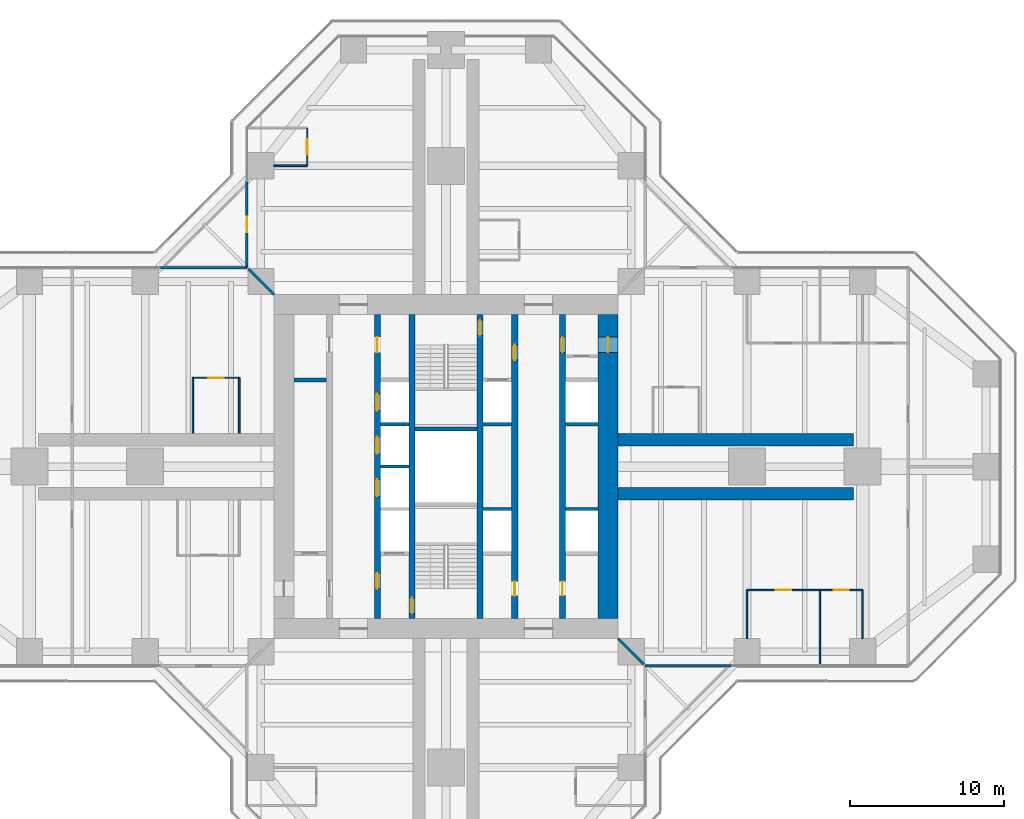
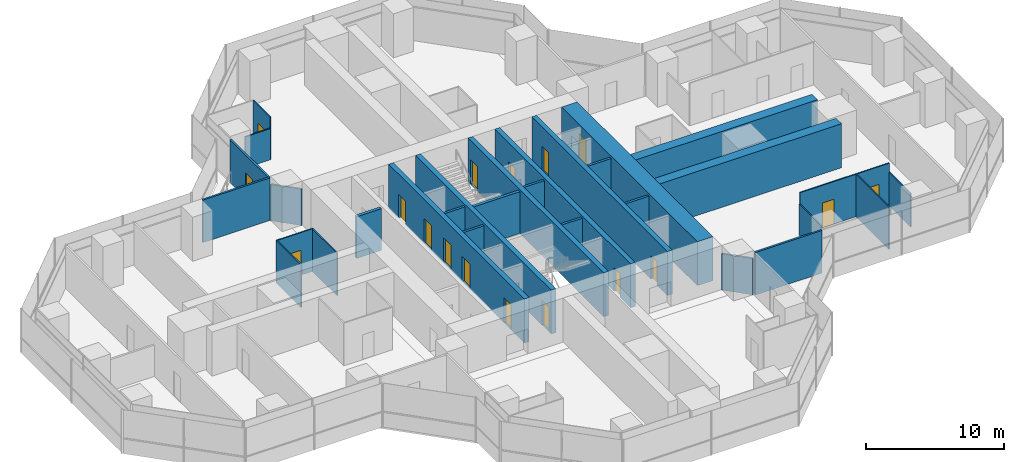
# One storey, part 16 of 20: 30 walls, 17 doors, 17 openings.
"""IFC4 building model written with IfcOpenShell, lengths in metres."""

import ifcopenshell
import ifcopenshell.guid

model = None  # the IFC model being written
_history = None  # IfcOwnerHistory: only IFC2X3 demands one
_inside = {}  # id of a spatial element -> (the spatial element, [elements in it])
_under = {}  # id of a project, library or spatial element -> (it, [spatial elements below it])
_declared = {}  # id of a project -> (the project, [libraries it declares])
_typed = {}  # id of a type object -> (the type object, [elements of that type])
_made_of = {}  # id of a material, layer set ... -> (it, [elements and type objects made of it])


def new_model(schema):
    """Start an empty IFC model of exactly this schema.

    Asked for "IFC4X3", IfcOpenShell would pick the latest addendum, in which some entities
    have other attributes; the version numbers below select the first issue.
    IFC2X3 requires an IfcOwnerHistory on every rooted entity: one is made here for all.
    """
    global model, _history
    if schema == "IFC4X3":
        model = ifcopenshell.file(schema_version=(4, 3, 0, 0))
    else:
        model = ifcopenshell.file(schema=schema)
    _inside.clear()
    _under.clear()
    _declared.clear()
    _typed.clear()
    _made_of.clear()
    _history = None
    if model.schema == "IFC2X3":
        org = make("IfcOrganization", Name="unknown")
        user = make(
            "IfcPersonAndOrganization",
            ThePerson=make("IfcPerson", FamilyName="unknown"),
            TheOrganization=org,
        )
        app = make(
            "IfcApplication",
            ApplicationDeveloper=org,
            Version="unknown",
            ApplicationFullName="unknown",
            ApplicationIdentifier="unknown",
        )
        _history = make(
            "IfcOwnerHistory",
            OwningUser=user,
            OwningApplication=app,
            ChangeAction="ADDED",
            CreationDate=0,
        )
    return model


def make(cls, **values):
    """One entity of the class cls with the attributes given. An attribute that is None is left unset."""
    return model.create_entity(
        cls, **{name: value for name, value in values.items() if value is not None}
    )


def rooted(cls, **values):
    """An entity with a GlobalId (a new one), such as an element, a storey or a relation."""
    return make(cls, GlobalId=ifcopenshell.guid.new(), OwnerHistory=_history, **values)


def si_unit(unit_type, name, prefix=None):
    """IfcSIUnit, for example si_unit("LENGTHUNIT", "METRE", prefix="MILLI")."""
    return make("IfcSIUnit", UnitType=unit_type, Prefix=prefix, Name=name)


def assignment(units):
    """IfcUnitAssignment: the units of a project."""
    return None if units is None else make("IfcUnitAssignment", Units=units)


def point(xyz):
    """IfcCartesianPoint."""
    return None if xyz is None else make("IfcCartesianPoint", Coordinates=xyz)


def direction(xyz):
    """IfcDirection."""
    return None if xyz is None else make("IfcDirection", DirectionRatios=xyz)


def frame(location, z_axis=None, x_axis=None):
    """IfcAxis2Placement3D, a coordinate frame: its origin and axes. An axis left out is left unset."""
    return make(
        "IfcAxis2Placement3D",
        Location=point(location),
        Axis=direction(z_axis),
        RefDirection=direction(x_axis),
    )


def frame_2d(location, x_axis=None):
    """IfcAxis2Placement2D, a coordinate frame in the plane: its origin and x axis."""
    return make(
        "IfcAxis2Placement2D", Location=point(location), RefDirection=direction(x_axis)
    )


def origin():
    """The frame at (0, 0, 0) with its axes left unset."""
    return frame((0.0, 0.0, 0.0))


def place(relative_to, where):
    """IfcLocalPlacement: puts the frame where relative to a parent placement (None: the world)."""
    return make(
        "IfcLocalPlacement", PlacementRelTo=relative_to, RelativePlacement=where
    )


def context(
    kind, dimensions, precision=None, world=None, true_north=None, identifier=None
):
    """IfcGeometricRepresentationContext, for example the 3D "Model" context."""
    return make(
        "IfcGeometricRepresentationContext",
        ContextIdentifier=identifier,
        ContextType=kind,
        CoordinateSpaceDimension=dimensions,
        Precision=precision,
        WorldCoordinateSystem=world,
        TrueNorth=true_north,
    )


def subcontext(parent, identifier, kind, view, scale=None):
    """IfcGeometricRepresentationSubContext, for example "Body" below "Model"."""
    return make(
        "IfcGeometricRepresentationSubContext",
        ContextIdentifier=identifier,
        ContextType=kind,
        ParentContext=parent,
        TargetScale=scale,
        TargetView=view,
    )


def project(units=None, contexts=None):
    """IfcProject with its units and contexts."""
    return rooted(
        "IfcProject",
        Name="project",
        RepresentationContexts=contexts,
        UnitsInContext=assignment(units),
    )


def spatial(cls, under=None, at=None, **own):
    """A site, building, storey or space (cls), placed at a placement, below another one or the project."""
    s = rooted(cls, ObjectPlacement=at, **own)
    if under is not None:
        _under.setdefault(under.id(), (under, []))[1].append(s)
    return s


def profile(cls, at=None, kind="AREA", **sizes):
    """A parametric profile (cls). Its sizes go by their IFC names, for example OverallWidth=200.0."""
    return make(cls, ProfileType=kind, Position=at, **sizes)


def rectangle(**sizes):
    """IfcRectangleProfileDef."""
    return profile("IfcRectangleProfileDef", **sizes)


def extrude(swept, where, along, depth):
    """IfcExtrudedAreaSolid: the profile swept, set in the frame where, extruded along a direction by depth."""
    return make(
        "IfcExtrudedAreaSolid",
        SweptArea=swept,
        Position=where,
        ExtrudedDirection=direction(along),
        Depth=depth,
    )


def shape(context_of_items, identifier, shape_type, items):
    """IfcShapeRepresentation: the items that make up one representation, for example the "Body"."""
    return make(
        "IfcShapeRepresentation",
        ContextOfItems=context_of_items,
        RepresentationIdentifier=identifier,
        RepresentationType=shape_type,
        Items=items,
    )


def material(Name=None, Category=None):
    """IfcMaterial."""
    return make("IfcMaterial", Name=Name, Category=Category)


def layer(
    of_material, thickness, ventilated=None, Name=None, Category=None, Priority=None
):
    """IfcMaterialLayer: one layer of a wall or slab, of a material (None: an air gap)."""
    return make(
        "IfcMaterialLayer",
        Material=of_material,
        LayerThickness=thickness,
        IsVentilated=ventilated,
        Name=Name,
        Category=Category,
        Priority=Priority,
    )


def layer_set(layers, Name=None):
    """IfcMaterialLayerSet."""
    return make("IfcMaterialLayerSet", MaterialLayers=layers, LayerSetName=Name)


def made_of(thing, what):
    """Note that an element or type object is made of a material, layer set ...; save() writes the relation."""
    if what is not None:
        _made_of.setdefault(what.id(), (what, []))[1].append(thing)
    return thing


def type_object(cls, material=None, **own):
    """A type object (cls), such as IfcWallType, which elements share."""
    return made_of(rooted(cls, **own), material)


def element(
    cls,
    number,
    at=None,
    inside=None,
    cuts=None,
    type_object=None,
    material=None,
    context=None,
    identifier="Body",
    shape_type=None,
    held_by="IfcProductDefinitionShape",
    body=None,
    shapes=None,
    **own,
):
    """One element of the class cls, such as IfcWall. Its Tag is "e" and its number.

    at: its placement. inside: the storey or other place that contains it. cuts: it is an
    opening in that element (IfcRelVoidsElement). A single representation is given by context,
    identifier, shape_type and body (its items); several are given by shapes. held_by: the class
    of the entity that holds the representations. save() writes the other relations.
    """
    e = rooted(cls, Tag="e%d" % number, ObjectPlacement=at, **own)
    if body is not None:
        shapes = [shape(context, identifier, shape_type, body)]
    if shapes is not None:
        e.Representation = make(held_by, Representations=shapes)
    if inside is not None:
        _inside.setdefault(inside.id(), (inside, []))[1].append(e)
    if cuts is not None:
        rooted(
            "IfcRelVoidsElement", RelatingBuildingElement=cuts, RelatedOpeningElement=e
        )
    if type_object is not None:
        _typed.setdefault(type_object.id(), (type_object, []))[1].append(e)
    return made_of(e, material)


def fill(opening, filler):
    """IfcRelFillsElement: the door or window that sits in an opening."""
    return rooted(
        "IfcRelFillsElement",
        RelatingOpeningElement=opening,
        RelatedBuildingElement=filler,
    )


def aggregate(whole, parts):
    """IfcRelAggregates: a whole, such as a stair, and the parts it consists of."""
    return rooted("IfcRelAggregates", RelatingObject=whole, RelatedObjects=parts)


def save(model, path):
    """Write the relations noted so far, then the file.

    IfcRelAggregates (storeys below a building ...), IfcRelContainedInSpatialStructure (elements
    in a storey), IfcRelDefinesByType, IfcRelAssociatesMaterial and IfcRelDeclares: one each for
    every whole, place, type object, material and project.
    """
    for whole, parts in _under.values():
        aggregate(whole, parts)
    for where, things in _inside.values():
        rooted(
            "IfcRelContainedInSpatialStructure",
            RelatedElements=things,
            RelatingStructure=where,
        )
    for kind, things in _typed.values():
        rooted("IfcRelDefinesByType", RelatedObjects=things, RelatingType=kind)
    for what, things in _made_of.values():
        rooted("IfcRelAssociatesMaterial", RelatedObjects=things, RelatingMaterial=what)
    for by, libraries in _declared.values():
        rooted("IfcRelDeclares", RelatingContext=by, RelatedDefinitions=libraries)
    model.write(path)


model = new_model("IFC4")

# Units and contexts
model_context = context("Model", 3, precision=1e-05, world=origin(), true_north=direction((0.0, 1.0)))
body_context = subcontext(model_context, "Body", "Model", "MODEL_VIEW")
ifc_project = project(units=[si_unit("LENGTHUNIT", "METRE"), si_unit("AREAUNIT", "SQUARE_METRE"), si_unit("VOLUMEUNIT", "CUBIC_METRE"), si_unit("PLANEANGLEUNIT", "RADIAN"), si_unit("MASSUNIT", "GRAM", prefix="KILO")], contexts=[model_context])

# Site, building, storey
site_placement = place(None, origin())
site = spatial("IfcSite", under=ifc_project, at=site_placement, CompositionType="ELEMENT")
building_placement = place(site_placement, origin())
building = spatial("IfcBuilding", under=site, at=building_placement, Name="Mizan Broadcast Tower", CompositionType="ELEMENT")
storey_placement = place(building_placement, frame((0.0, 0.0, 155.39990234375)))
storey = spatial("IfcBuildingStorey", under=building, at=storey_placement, Name="L35", CompositionType="ELEMENT", Elevation=155.39990234375)

# Wall, openings, doors
ifc_material_1 = material(Name="Concrete C70/85", Category="concrete")
ifc_layer_1 = layer(ifc_material_1, 0.39990234375)
ifc_layer_set_1 = layer_set([ifc_layer_1], Name="Concrete C70/85")
wall_type_1 = type_object("IfcWallType", Name="CORE INTERNAL WALL 400", PredefinedType="SHEAR", material=ifc_layer_set_1)
wall_1_placement = place(storey_placement, frame((7.550048828125, 9.85009765625, 0.0), z_axis=(0.0, 0.0, 1.0), x_axis=(0.0, -1.0, 0.0)))
wall_1 = element("IfcWall", 1, at=wall_1_placement, inside=storey, type_object=wall_type_1, Name="Core wall CORE/XW1E", PredefinedType="SHEAR", context=body_context, shape_type="SweptSolid", body=[
    extrude(rectangle(XDim=19.7001953125, YDim=0.39990234375, at=frame_2d((9.85009765625, 0.0))), origin(), (0.0, 0.0, 1.0), 3.900146484375),
])
opening_1_placement = place(wall_1_placement, frame((1.449951171875, 0.0, 0.0)))
opening_1 = element("IfcOpeningElement", 2, at=opening_1_placement, cuts=wall_1, Name="Opening D10F", PredefinedType="OPENING", context=body_context, shape_type="SweptSolid", body=[
    extrude(rectangle(XDim=1.0, YDim=2.199951171875, at=frame_2d((0.5, 1.10009765625))), frame((0.0, 0.2099609375, 0.0), z_axis=(0.0, -1.0, 0.0), x_axis=(1.0, 0.0, 0.0)), (0.0, 0.0, 1.0), 0.419921875),
])
opening_2_placement = place(wall_1_placement, frame((17.300048828125, 0.0, 0.0)))
opening_2 = element("IfcOpeningElement", 3, at=opening_2_placement, cuts=wall_1, Name="Opening D09", PredefinedType="OPENING", context=body_context, shape_type="SweptSolid", body=[
    extrude(rectangle(XDim=0.89990234375, YDim=2.10009765625, at=frame_2d((0.449951171875, 1.050048828125))), frame((0.0, 0.2099609375, 0.0), z_axis=(0.0, -1.0, 0.0), x_axis=(1.0, 0.0, 0.0)), (0.0, 0.0, 1.0), 0.419921875),
])
ifc_material_2 = material(Name="Steel door leaf in steel frame", Category="steel")
door_type_1 = type_object("IfcDoorType", Name="FIRE DOOR 1000 FD90", OperationType="SINGLE_SWING_LEFT", PredefinedType="DOOR", material=ifc_material_2)
door_1_placement = place(opening_1_placement, origin())
door_1 = element("IfcDoor", 4, at=door_1_placement, inside=storey, type_object=door_type_1, Name="East core passage door", OperationType="SINGLE_SWING_LEFT", OverallHeight=2.199951171875, OverallWidth=1.0, PredefinedType="DOOR", context=body_context, shape_type="SweptSolid", body=[
    extrude(rectangle(XDim=1.0, YDim=2.199951171875, at=frame_2d((0.5, 1.10009765625))), frame((0.0, 0.02490234375, 0.0), z_axis=(0.0, -1.0, 0.0), x_axis=(1.0, 0.0, 0.0)), (0.0, 0.0, 1.0), 0.050048828125),
])
fill(opening_1, door_1)
ifc_material_3 = material(Name="Timber door leaf in aluminium frame", Category="wood")
door_type_2 = type_object("IfcDoorType", Name="TOILET DOOR 900", OperationType="SINGLE_SWING_LEFT", PredefinedType="DOOR", material=ifc_material_3)
door_2_placement = place(opening_2_placement, origin())
door_2 = element("IfcDoor", 5, at=door_2_placement, inside=storey, type_object=door_type_2, Name="Female WC door", OperationType="SINGLE_SWING_RIGHT", OverallHeight=2.10009765625, OverallWidth=0.89990234375, PredefinedType="DOOR", context=body_context, shape_type="SweptSolid", body=[
    extrude(rectangle(XDim=0.89990234375, YDim=2.10009765625, at=frame_2d((0.449951171875, 1.050048828125))), frame((0.0, 0.02490234375, 0.0), z_axis=(0.0, -1.0, 0.0), x_axis=(1.0, 0.0, 0.0)), (0.0, 0.0, 1.0), 0.050048828125),
])
fill(opening_2, door_2)

wall_2_placement = place(storey_placement, frame((-4.449951171875, -9.85009765625, 0.0), z_axis=(0.0, 0.0, 1.0), x_axis=(0.0, 1.0, 0.0)))
wall_2 = element("IfcWall", 6, at=wall_2_placement, inside=storey, type_object=wall_type_1, Name="Core wall CORE/XWH", PredefinedType="SHEAR", context=body_context, shape_type="SweptSolid", body=[
    extrude(rectangle(XDim=19.7001953125, YDim=0.39990234375, at=frame_2d((9.85009765625, 0.0))), origin(), (0.0, 0.0, 1.0), 3.900146484375),
])
opening_3_placement = place(wall_2_placement, frame((1.949951171875, 0.0, 0.0)))
opening_3 = element("IfcOpeningElement", 7, at=opening_3_placement, cuts=wall_2, Name="Opening D10F", PredefinedType="OPENING", context=body_context, shape_type="SweptSolid", body=[
    extrude(rectangle(XDim=1.0, YDim=2.199951171875, at=frame_2d((0.5, 1.10009765625))), frame((0.0, 0.2099609375, 0.0), z_axis=(0.0, -1.0, 0.0), x_axis=(1.0, 0.0, 0.0)), (0.0, 0.0, 1.0), 0.419921875),
])
opening_4_placement = place(wall_2_placement, frame((17.25, 0.0, 0.0)))
opening_4 = element("IfcOpeningElement", 8, at=opening_4_placement, cuts=wall_2, Name="Opening D10A", PredefinedType="OPENING", context=body_context, shape_type="SweptSolid", body=[
    extrude(rectangle(XDim=1.0, YDim=2.10009765625, at=frame_2d((0.5, 1.050048828125))), frame((0.0, 0.2099609375, 0.0), z_axis=(0.0, -1.0, 0.0), x_axis=(1.0, 0.0, 0.0)), (0.0, 0.0, 1.0), 0.419921875),
])
opening_5_placement = place(wall_2_placement, frame((7.925048828125, 0.0, 0.0)))
opening_5 = element("IfcOpeningElement", 9, at=opening_5_placement, cuts=wall_2, Name="Opening LD", PredefinedType="OPENING", context=body_context, shape_type="SweptSolid", body=[
    extrude(rectangle(XDim=1.10009765625, YDim=2.199951171875, at=frame_2d((0.550048828125, 1.10009765625))), frame((0.0, 0.2099609375, 0.0), z_axis=(0.0, -1.0, 0.0), x_axis=(1.0, 0.0, 0.0)), (0.0, 0.0, 1.0), 0.419921875),
])
opening_6_placement = place(wall_2_placement, frame((10.675048828125, 0.0, 0.0)))
opening_6 = element("IfcOpeningElement", 10, at=opening_6_placement, cuts=wall_2, Name="Opening LD", PredefinedType="OPENING", context=body_context, shape_type="SweptSolid", body=[
    extrude(rectangle(XDim=1.10009765625, YDim=2.199951171875, at=frame_2d((0.550048828125, 1.10009765625))), frame((0.0, 0.2099609375, 0.0), z_axis=(0.0, -1.0, 0.0), x_axis=(1.0, 0.0, 0.0)), (0.0, 0.0, 1.0), 0.419921875),
])
opening_7_placement = place(wall_2_placement, frame((13.47509765625, 0.0, 0.0)))
opening_7 = element("IfcOpeningElement", 11, at=opening_7_placement, cuts=wall_2, Name="Opening LD", PredefinedType="OPENING", context=body_context, shape_type="SweptSolid", body=[
    extrude(rectangle(XDim=1.10009765625, YDim=2.199951171875, at=frame_2d((0.550048828125, 1.10009765625))), frame((0.0, 0.2099609375, 0.0), z_axis=(0.0, -1.0, 0.0), x_axis=(1.0, 0.0, 0.0)), (0.0, 0.0, 1.0), 0.419921875),
])
ifc_material_4 = material(Name="Timber door leaf in aluminium frame", Category="wood")
door_type_3 = type_object("IfcDoorType", Name="ACCESSIBLE WC DOOR 1000", OperationType="SLIDING_TO_LEFT", PredefinedType="DOOR", material=ifc_material_4)
door_3_placement = place(opening_4_placement, origin())
door_3 = element("IfcDoor", 12, at=door_3_placement, inside=storey, type_object=door_type_3, Name="Accessible WC door", OperationType="SLIDING_TO_LEFT", OverallHeight=2.10009765625, OverallWidth=1.0, PredefinedType="DOOR", context=body_context, shape_type="SweptSolid", body=[
    extrude(rectangle(XDim=1.0, YDim=2.10009765625, at=frame_2d((0.5, 1.050048828125))), frame((0.0, 0.02490234375, 0.0), z_axis=(0.0, -1.0, 0.0), x_axis=(1.0, 0.0, 0.0)), (0.0, 0.0, 1.0), 0.050048828125),
])
fill(opening_4, door_3)
door_4_placement = place(opening_3_placement, origin())
door_4 = element("IfcDoor", 13, at=door_4_placement, inside=storey, type_object=door_type_1, Name="Firefighting lobby A door", OperationType="SINGLE_SWING_LEFT", OverallHeight=2.199951171875, OverallWidth=1.0, PredefinedType="DOOR", context=body_context, shape_type="SweptSolid", body=[
    extrude(rectangle(XDim=1.0, YDim=2.199951171875, at=frame_2d((0.5, 1.10009765625))), frame((0.0, 0.02490234375, 0.0), z_axis=(0.0, -1.0, 0.0), x_axis=(1.0, 0.0, 0.0)), (0.0, 0.0, 1.0), 0.050048828125),
])
fill(opening_3, door_4)
ifc_material_5 = material(Name="Steel door leaf in steel frame", Category="steel")
door_type_4 = type_object("IfcDoorType", Name="LIFT LANDING DOOR 1100", OperationType="SLIDING_TO_LEFT", PredefinedType="DOOR", material=ifc_material_5)
door_5_placement = place(opening_5_placement, origin())
door_5 = element("IfcDoor", 14, at=door_5_placement, inside=storey, type_object=door_type_4, Name="Landing door LB1", OperationType="SLIDING_TO_LEFT", OverallHeight=2.199951171875, OverallWidth=1.10009765625, PredefinedType="DOOR", context=body_context, shape_type="SweptSolid", body=[
    extrude(rectangle(XDim=1.10009765625, YDim=2.199951171875, at=frame_2d((0.550048828125, 1.10009765625))), frame((0.0, 0.02490234375, 0.0), z_axis=(0.0, -1.0, 0.0), x_axis=(1.0, 0.0, 0.0)), (0.0, 0.0, 1.0), 0.050048828125),
])
fill(opening_5, door_5)
door_6_placement = place(opening_6_placement, origin())
door_6 = element("IfcDoor", 15, at=door_6_placement, inside=storey, type_object=door_type_4, Name="Landing door LB2", OperationType="SLIDING_TO_LEFT", OverallHeight=2.199951171875, OverallWidth=1.10009765625, PredefinedType="DOOR", context=body_context, shape_type="SweptSolid", body=[
    extrude(rectangle(XDim=1.10009765625, YDim=2.199951171875, at=frame_2d((0.550048828125, 1.10009765625))), frame((0.0, 0.02490234375, 0.0), z_axis=(0.0, -1.0, 0.0), x_axis=(1.0, 0.0, 0.0)), (0.0, 0.0, 1.0), 0.050048828125),
])
fill(opening_6, door_6)
door_7_placement = place(opening_7_placement, origin())
door_7 = element("IfcDoor", 16, at=door_7_placement, inside=storey, type_object=door_type_4, Name="Landing door LB3", OperationType="SLIDING_TO_LEFT", OverallHeight=2.199951171875, OverallWidth=1.10009765625, PredefinedType="DOOR", context=body_context, shape_type="SweptSolid", body=[
    extrude(rectangle(XDim=1.10009765625, YDim=2.199951171875, at=frame_2d((0.550048828125, 1.10009765625))), frame((0.0, 0.02490234375, 0.0), z_axis=(0.0, -1.0, 0.0), x_axis=(1.0, 0.0, 0.0)), (0.0, 0.0, 1.0), 0.050048828125),
])
fill(opening_7, door_7)

wall_3_placement = place(storey_placement, frame((4.449951171875, 9.85009765625, 0.0), z_axis=(0.0, 0.0, 1.0), x_axis=(0.0, -1.0, 0.0)))
wall_3 = element("IfcWall", 17, at=wall_3_placement, inside=storey, type_object=wall_type_1, Name="Core wall CORE/XWHE", PredefinedType="SHEAR", context=body_context, shape_type="SweptSolid", body=[
    extrude(rectangle(XDim=19.7001953125, YDim=0.39990234375, at=frame_2d((9.85009765625, 0.0))), origin(), (0.0, 0.0, 1.0), 3.900146484375),
])
opening_8_placement = place(wall_3_placement, frame((1.949951171875, 0.0, 0.0)))
opening_8 = element("IfcOpeningElement", 18, at=opening_8_placement, cuts=wall_3, Name="Opening D10F", PredefinedType="OPENING", context=body_context, shape_type="SweptSolid", body=[
    extrude(rectangle(XDim=1.0, YDim=2.199951171875, at=frame_2d((0.5, 1.10009765625))), frame((0.0, 0.2099609375, 0.0), z_axis=(0.0, -1.0, 0.0), x_axis=(1.0, 0.0, 0.0)), (0.0, 0.0, 1.0), 0.419921875),
])
opening_9_placement = place(wall_3_placement, frame((17.300048828125, 0.0, 0.0)))
opening_9 = element("IfcOpeningElement", 19, at=opening_9_placement, cuts=wall_3, Name="Opening D09", PredefinedType="OPENING", context=body_context, shape_type="SweptSolid", body=[
    extrude(rectangle(XDim=0.89990234375, YDim=2.10009765625, at=frame_2d((0.449951171875, 1.050048828125))), frame((0.0, 0.2099609375, 0.0), z_axis=(0.0, -1.0, 0.0), x_axis=(1.0, 0.0, 0.0)), (0.0, 0.0, 1.0), 0.419921875),
])
door_8_placement = place(opening_8_placement, origin())
door_8 = element("IfcDoor", 20, at=door_8_placement, inside=storey, type_object=door_type_1, Name="Firefighting lobby B door", OperationType="SINGLE_SWING_LEFT", OverallHeight=2.199951171875, OverallWidth=1.0, PredefinedType="DOOR", context=body_context, shape_type="SweptSolid", body=[
    extrude(rectangle(XDim=1.0, YDim=2.199951171875, at=frame_2d((0.5, 1.10009765625))), frame((0.0, 0.02490234375, 0.0), z_axis=(0.0, -1.0, 0.0), x_axis=(1.0, 0.0, 0.0)), (0.0, 0.0, 1.0), 0.050048828125),
])
fill(opening_8, door_8)
door_9_placement = place(opening_9_placement, origin())
door_9 = element("IfcDoor", 21, at=door_9_placement, inside=storey, type_object=door_type_2, Name="Cleaner's store door", OperationType="SINGLE_SWING_RIGHT", OverallHeight=2.10009765625, OverallWidth=0.89990234375, PredefinedType="DOOR", context=body_context, shape_type="SweptSolid", body=[
    extrude(rectangle(XDim=0.89990234375, YDim=2.10009765625, at=frame_2d((0.449951171875, 1.050048828125))), frame((0.0, 0.02490234375, 0.0), z_axis=(0.0, -1.0, 0.0), x_axis=(1.0, 0.0, 0.0)), (0.0, 0.0, 1.0), 0.050048828125),
])
fill(opening_9, door_9)

# Wall, opening, door
wall_4_placement = place(storey_placement, frame((-2.199951171875, -9.85009765625, 0.0), z_axis=(0.0, 0.0, 1.0), x_axis=(0.0, 1.0, 0.0)))
wall_4 = element("IfcWall", 22, at=wall_4_placement, inside=storey, type_object=wall_type_1, Name="Core wall CORE/XW2", PredefinedType="SHEAR", context=body_context, shape_type="SweptSolid", body=[
    extrude(rectangle(XDim=19.7001953125, YDim=0.39990234375, at=frame_2d((9.85009765625, 0.0))), origin(), (0.0, 0.0, 1.0), 3.900146484375),
])
opening_10_placement = place(wall_4_placement, frame((0.35009765625, 0.0, 0.0)))
opening_10 = element("IfcOpeningElement", 23, at=opening_10_placement, cuts=wall_4, Name="Opening D10S", PredefinedType="OPENING", context=body_context, shape_type="SweptSolid", body=[
    extrude(rectangle(XDim=1.0, YDim=2.199951171875, at=frame_2d((0.5, 1.10009765625))), frame((0.0, 0.2099609375, 0.0), z_axis=(0.0, -1.0, 0.0), x_axis=(1.0, 0.0, 0.0)), (0.0, 0.0, 1.0), 0.419921875),
])
ifc_material_6 = material(Name="Steel door leaf in steel frame", Category="steel")
door_type_5 = type_object("IfcDoorType", Name="STAIR DOOR 1000 FD90S", OperationType="SINGLE_SWING_RIGHT", PredefinedType="DOOR", material=ifc_material_6)
door_10_placement = place(opening_10_placement, origin())
door_10 = element("IfcDoor", 24, at=door_10_placement, inside=storey, type_object=door_type_5, Name="Stair A door", OperationType="SINGLE_SWING_RIGHT", OverallHeight=2.199951171875, OverallWidth=1.0, PredefinedType="DOOR", context=body_context, shape_type="SweptSolid", body=[
    extrude(rectangle(XDim=1.0, YDim=2.199951171875, at=frame_2d((0.5, 1.10009765625))), frame((0.0, 0.02490234375, 0.0), z_axis=(0.0, -1.0, 0.0), x_axis=(1.0, 0.0, 0.0)), (0.0, 0.0, 1.0), 0.050048828125),
])
fill(opening_10, door_10)

wall_5_placement = place(storey_placement, frame((2.199951171875, 9.85009765625, 0.0), z_axis=(0.0, 0.0, 1.0), x_axis=(0.0, -1.0, 0.0)))
wall_5 = element("IfcWall", 25, at=wall_5_placement, inside=storey, type_object=wall_type_1, Name="Core wall CORE/XW2E", PredefinedType="SHEAR", context=body_context, shape_type="SweptSolid", body=[
    extrude(rectangle(XDim=19.7001953125, YDim=0.39990234375, at=frame_2d((9.85009765625, 0.0))), origin(), (0.0, 0.0, 1.0), 3.900146484375),
])
opening_11_placement = place(wall_5_placement, frame((0.35009765625, 0.0, 0.0)))
opening_11 = element("IfcOpeningElement", 26, at=opening_11_placement, cuts=wall_5, Name="Opening D10S", PredefinedType="OPENING", context=body_context, shape_type="SweptSolid", body=[
    extrude(rectangle(XDim=1.0, YDim=2.199951171875, at=frame_2d((0.5, 1.10009765625))), frame((0.0, 0.2099609375, 0.0), z_axis=(0.0, -1.0, 0.0), x_axis=(1.0, 0.0, 0.0)), (0.0, 0.0, 1.0), 0.419921875),
])
door_11_placement = place(opening_11_placement, origin())
door_11 = element("IfcDoor", 27, at=door_11_placement, inside=storey, type_object=door_type_5, Name="Stair B door", OperationType="SINGLE_SWING_RIGHT", OverallHeight=2.199951171875, OverallWidth=1.0, PredefinedType="DOOR", context=body_context, shape_type="SweptSolid", body=[
    extrude(rectangle(XDim=1.0, YDim=2.199951171875, at=frame_2d((0.5, 1.10009765625))), frame((0.0, 0.02490234375, 0.0), z_axis=(0.0, -1.0, 0.0), x_axis=(1.0, 0.0, 0.0)), (0.0, 0.0, 1.0), 0.050048828125),
])
fill(opening_11, door_11)

ifc_material_7 = material(Name="Concrete C70/85", Category="concrete")
ifc_layer_2 = layer(ifc_material_7, 1.300048828125)
ifc_layer_set_2 = layer_set([ifc_layer_2], Name="Concrete C70/85")
wall_type_2 = type_object("IfcWallType", Name="CORE WALL 1300", PredefinedType="SHEAR", material=ifc_layer_set_2)
wall_6_placement = place(storey_placement, frame((10.5, -9.85009765625, 0.0), z_axis=(0.0, 0.0, 1.0), x_axis=(0.0, 1.0, 0.0)))
wall_6 = element("IfcWall", 28, at=wall_6_placement, inside=storey, type_object=wall_type_2, Name="Core wall E L35", PredefinedType="SHEAR", context=body_context, shape_type="SweptSolid", body=[
    extrude(rectangle(XDim=19.7001953125, YDim=1.300048828125, at=frame_2d((9.85009765625, 0.0))), origin(), (0.0, 0.0, 1.0), 3.900146484375),
])
opening_12_placement = place(wall_6_placement, frame((17.25, 0.0, 0.0)))
opening_12 = element("IfcOpeningElement", 29, at=opening_12_placement, cuts=wall_6, Name="Opening D10F", PredefinedType="OPENING", context=body_context, shape_type="SweptSolid", body=[
    extrude(rectangle(XDim=1.0, YDim=2.199951171875, at=frame_2d((0.5, 1.10009765625))), frame((0.0, 0.659912109375, 0.0), z_axis=(0.0, -1.0, 0.0), x_axis=(1.0, 0.0, 0.0)), (0.0, 0.0, 1.0), 1.320068359375),
])
door_12_placement = place(opening_12_placement, origin())
door_12 = element("IfcDoor", 30, at=door_12_placement, inside=storey, type_object=door_type_1, Name="East core passage arm door", OperationType="SINGLE_SWING_RIGHT", OverallHeight=2.199951171875, OverallWidth=1.0, PredefinedType="DOOR", context=body_context, shape_type="SweptSolid", body=[
    extrude(rectangle(XDim=1.0, YDim=2.199951171875, at=frame_2d((0.5, 1.10009765625))), frame((0.0, 0.02490234375, 0.0), z_axis=(0.0, -1.0, 0.0), x_axis=(1.0, 0.0, 0.0)), (0.0, 0.0, 1.0), 0.050048828125),
])
fill(opening_12, door_12)

# Wall
ifc_material_8 = material(Name="Aluminium framed glazed screen", Category="aluminium")
ifc_layer_3 = layer(ifc_material_8, 0.159912109375)
ifc_layer_set_3 = layer_set([ifc_layer_3], Name="Aluminium framed glazed screen")
wall_type_3 = type_object("IfcWallType", Name="GLAZED SCREEN WALL 160", PredefinedType="SOLIDWALL", material=ifc_layer_set_3)
wall_7_placement = place(storey_placement, frame((12.89990234375, -12.89990234375, 0.0), z_axis=(0.0, 0.0, 1.0), x_axis=(1.0, 0.0, 0.0)))
element("IfcWall", 31, at=wall_7_placement, inside=storey, type_object=wall_type_3, Name="Winter garden screen L35 E", PredefinedType="SOLIDWALL", context=body_context, shape_type="SweptSolid", body=[
    extrude(rectangle(XDim=5.60009765625, YDim=0.159912109375, at=frame_2d((2.800048828125, 0.0))), origin(), (0.0, 0.0, 1.0), 3.77001953125),
])

# Wall, opening, door
wall_8_placement = place(storey_placement, frame((-12.89990234375, 18.5, 0.0), z_axis=(0.0, 0.0, 1.0), x_axis=(0.0, -1.0, 0.0)))
wall_8 = element("IfcWall", 32, at=wall_8_placement, inside=storey, type_object=wall_type_3, Name="Winter garden screen L35 N", PredefinedType="SOLIDWALL", context=body_context, shape_type="SweptSolid", body=[
    extrude(rectangle(XDim=5.60009765625, YDim=0.159912109375, at=frame_2d((2.800048828125, 0.0))), origin(), (0.0, 0.0, 1.0), 3.77001953125),
])
opening_13_placement = place(wall_8_placement, frame((2.300048828125, 0.0, 0.0)))
opening_13 = element("IfcOpeningElement", 33, at=opening_13_placement, cuts=wall_8, Name="Opening WGD", PredefinedType="OPENING", context=body_context, shape_type="SweptSolid", body=[
    extrude(rectangle(XDim=1.0, YDim=2.199951171875, at=frame_2d((0.5, 1.10009765625))), frame((0.0, 0.08984375, 0.0), z_axis=(0.0, -1.0, 0.0), x_axis=(1.0, 0.0, 0.0)), (0.0, 0.0, 1.0), 0.179931640625),
])
ifc_material_9 = material(Name="Aluminium framed glazed door", Category="aluminium")
door_type_6 = type_object("IfcDoorType", Name="WINTER GARDEN DOOR 1000 GLAZED", OperationType="SINGLE_SWING_LEFT", PredefinedType="DOOR", material=ifc_material_9)
door_13_placement = place(opening_13_placement, origin())
door_13 = element("IfcDoor", 34, at=door_13_placement, inside=storey, type_object=door_type_6, Name="Winter garden door L35 N", OperationType="SINGLE_SWING_RIGHT", OverallHeight=2.199951171875, OverallWidth=1.0, PredefinedType="DOOR", context=body_context, shape_type="SweptSolid", body=[
    extrude(rectangle(XDim=1.0, YDim=2.199951171875, at=frame_2d((0.5, 1.10009765625))), frame((0.0, 0.02490234375, 0.0), z_axis=(0.0, -1.0, 0.0), x_axis=(1.0, 0.0, 0.0)), (0.0, 0.0, 1.0), 0.050048828125),
])
fill(opening_13, door_13)

# Walls
wall_9_placement = place(storey_placement, frame((-12.89990234375, 12.89990234375, 0.0), z_axis=(0.0, 0.0, 1.0), x_axis=(-1.0, 0.0, 0.0)))
element("IfcWall", 35, at=wall_9_placement, inside=storey, type_object=wall_type_3, Name="Winter garden screen L35 W", PredefinedType="SOLIDWALL", context=body_context, shape_type="SweptSolid", body=[
    extrude(rectangle(XDim=5.60009765625, YDim=0.159912109375, at=frame_2d((2.800048828125, 0.0))), origin(), (0.0, 0.0, 1.0), 3.77001953125),
])
ifc_material_10 = material(Name="Concrete blockwork", Category="masonry")
ifc_layer_4 = layer(ifc_material_10, 0.199951171875)
ifc_layer_set_4 = layer_set([ifc_layer_4], Name="Concrete blockwork")
wall_type_4 = type_object("IfcWallType", Name="LIFT SHAFT WALL 200", PredefinedType="SOLIDWALL", material=ifc_layer_set_4)
wall_10_placement = place(storey_placement, frame((2.39990234375, -2.75, 0.0), z_axis=(0.0, 0.0, 1.0), x_axis=(1.0, 0.0, 0.0)))
element("IfcWall", 36, at=wall_10_placement, inside=storey, type_object=wall_type_4, Name="Lift shaft wall CORE/SE2-1", PredefinedType="SOLIDWALL", context=body_context, shape_type="SweptSolid", body=[
    extrude(rectangle(XDim=1.85009765625, YDim=0.199951171875, at=frame_2d((0.925048828125, 0.0))), origin(), (0.0, 0.0, 1.0), 3.7001953125),
])
wall_11_placement = place(storey_placement, frame((7.75, -2.75, 0.0), z_axis=(0.0, 0.0, 1.0), x_axis=(1.0, 0.0, 0.0)))
element("IfcWall", 37, at=wall_11_placement, inside=storey, type_object=wall_type_4, Name="Lift shaft wall CORE/SE1-1", PredefinedType="SOLIDWALL", context=body_context, shape_type="SweptSolid", body=[
    extrude(rectangle(XDim=2.10009765625, YDim=0.199951171875, at=frame_2d((1.050048828125, 0.0))), origin(), (0.0, 0.0, 1.0), 3.7001953125),
])
for number, where, z_axis, x_axis, name in (
    (38, (-4.25, 0.0, 0.0), (0.0, 0.0, 1.0), (1.0, 0.0, 0.0), "Lift shaft wall CORE/SW2-2"),
    (39, (-4.25, 2.75, 0.0), (0.0, 0.0, 1.0), (1.0, 0.0, 0.0), "Lift shaft wall CORE/SW2-3"),
    (40, (2.39990234375, 2.75, 0.0), (0.0, 0.0, 1.0), (1.0, 0.0, 0.0), "Lift shaft wall CORE/SE2-3"),
):
    element("IfcWall", number, at=place(storey_placement, frame(where, z_axis=z_axis, x_axis=x_axis)), inside=storey, type_object=wall_type_4, Name=name, PredefinedType="SOLIDWALL", context=body_context, shape_type="SweptSolid", body=[
        extrude(rectangle(XDim=1.85009765625, YDim=0.199951171875, at=frame_2d((0.925048828125, 0.0))), origin(), (0.0, 0.0, 1.0), 3.7001953125),
    ])
wall_12_placement = place(storey_placement, frame((7.75, 2.75, 0.0), z_axis=(0.0, 0.0, 1.0), x_axis=(1.0, 0.0, 0.0)))
element("IfcWall", 41, at=wall_12_placement, inside=storey, type_object=wall_type_4, Name="Lift shaft wall CORE/SE1-3", PredefinedType="SOLIDWALL", context=body_context, shape_type="SweptSolid", body=[
    extrude(rectangle(XDim=2.10009765625, YDim=0.199951171875, at=frame_2d((1.050048828125, 0.0))), origin(), (0.0, 0.0, 1.0), 3.7001953125),
])
ifc_material_11 = material(Name="Concrete blockwork", Category="masonry")
ifc_layer_5 = layer(ifc_material_11, 0.25)
ifc_layer_set_5 = layer_set([ifc_layer_5], Name="Concrete blockwork")
wall_type_5 = type_object("IfcWallType", Name="LOBBY ENCLOSURE WALL 250", PredefinedType="SOLIDWALL", material=ifc_layer_set_5)
wall_13_placement = place(storey_placement, frame((-9.85009765625, 5.625, 0.0), z_axis=(0.0, 0.0, 1.0), x_axis=(1.0, 0.0, 0.0)))
element("IfcWall", 42, at=wall_13_placement, inside=storey, type_object=wall_type_5, Name="Lobby enclosure wall CORE/BW1N", PredefinedType="SOLIDWALL", context=body_context, shape_type="SweptSolid", body=[
    extrude(rectangle(XDim=2.10009765625, YDim=0.25, at=frame_2d((1.050048828125, 0.0))), origin(), (0.0, 0.0, 1.0), 3.7001953125),
])
wall_14_placement = place(storey_placement, frame((-2.0, 2.449951171875, 0.0), z_axis=(0.0, 0.0, 1.0), x_axis=(1.0, 0.0, 0.0)))
element("IfcWall", 43, at=wall_14_placement, inside=storey, type_object=wall_type_5, Name="Lobby enclosure wall CORE/STB", PredefinedType="SOLIDWALL", context=body_context, shape_type="SweptSolid", body=[
    extrude(rectangle(XDim=4.0, YDim=0.25, at=frame_2d((2.0, 0.0))), origin(), (0.0, 0.0, 1.0), 3.7001953125),
])
ifc_material_12 = material(Name="Gypsum board on steel studs", Category="steel")
ifc_layer_6 = layer(ifc_material_12, 0.14990234375)
ifc_layer_set_6 = layer_set([ifc_layer_6], Name="Gypsum board on steel studs")
wall_type_6 = type_object("IfcWallType", Name="PARTITION 150", PredefinedType="PARTITIONING", material=ifc_layer_set_6)
for number, where, z_axis, x_axis, name in (
    (44, (-11.14990234375, 11.14990234375, 0.0), (0.0, 0.0, 1.0), (-0.707106781187, 0.707106781187, 0.0), "Partition PT/DGWN"),
    (45, (11.14990234375, -11.14990234375, 0.0), (0.0, 0.0, 1.0), (0.707106781187, -0.707106781187, 0.0), "Partition PT/DGES"),
):
    element("IfcWall", number, at=place(storey_placement, frame(where, z_axis=z_axis, x_axis=x_axis)), inside=storey, type_object=wall_type_6, Name=name, PredefinedType="PARTITIONING", context=body_context, shape_type="SweptSolid", body=[
        extrude(rectangle(XDim=2.362060546875, YDim=0.14990234375, at=frame_2d((1.18115234375, 0.0))), origin(), (0.0, 0.0, 1.0), 3.22021484375),
    ])

# Wall, openings, doors
ifc_material_13 = material(Name="Glazed aluminium partition on aluminium track", Category="aluminium")
ifc_layer_7 = layer(ifc_material_13, 0.10009765625)
ifc_layer_set_7 = layer_set([ifc_layer_7], Name="Glazed aluminium partition on aluminium track")
wall_type_7 = type_object("IfcWallType", Name="PARTITION GLAZED OFFICE FRONT 100", PredefinedType="PARTITIONING", material=ifc_layer_set_7)
wall_15_placement = place(storey_placement, frame((19.5, -8.0, 0.0), z_axis=(0.0, 0.0, 1.0), x_axis=(1.0, 0.0, 0.0)))
wall_15 = element("IfcWall", 46, at=wall_15_placement, inside=storey, type_object=wall_type_7, Name="Glazed office front PT/ECN0", PredefinedType="PARTITIONING", context=body_context, shape_type="SweptSolid", body=[
    extrude(rectangle(XDim=7.5, YDim=0.10009765625, at=frame_2d((3.75, 0.0))), origin(), (0.0, 0.0, 1.0), 3.77001953125),
])
opening_14_placement = place(wall_15_placement, frame((1.864501953125, 0.0, 0.0)))
opening_14 = element("IfcOpeningElement", 47, at=opening_14_placement, cuts=wall_15, Name="Opening D10O", PredefinedType="OPENING", context=body_context, shape_type="SweptSolid", body=[
    extrude(rectangle(XDim=1.0, YDim=2.199951171875, at=frame_2d((0.5, 1.10009765625))), frame((0.0, 0.06005859375, 0.0), z_axis=(0.0, -1.0, 0.0), x_axis=(1.0, 0.0, 0.0)), (0.0, 0.0, 1.0), 0.1201171875),
])
opening_15_placement = place(wall_15_placement, frame((5.614501953125, 0.0, 0.0)))
opening_15 = element("IfcOpeningElement", 48, at=opening_15_placement, cuts=wall_15, Name="Opening D10O", PredefinedType="OPENING", context=body_context, shape_type="SweptSolid", body=[
    extrude(rectangle(XDim=1.0, YDim=2.199951171875, at=frame_2d((0.5, 1.10009765625))), frame((0.0, 0.06005859375, 0.0), z_axis=(0.0, -1.0, 0.0), x_axis=(1.0, 0.0, 0.0)), (0.0, 0.0, 1.0), 0.1201171875),
])
ifc_material_14 = material(Name="Timber door leaf in aluminium frame", Category="wood")
door_type_7 = type_object("IfcDoorType", Name="OFFICE DOOR 1000 GLAZED", OperationType="SINGLE_SWING_LEFT", PredefinedType="DOOR", material=ifc_material_14)
door_14_placement = place(opening_14_placement, origin())
door_14 = element("IfcDoor", 49, at=door_14_placement, inside=storey, type_object=door_type_7, Name="Office door", OperationType="SINGLE_SWING_LEFT", OverallHeight=2.199951171875, OverallWidth=1.0, PredefinedType="DOOR", context=body_context, shape_type="SweptSolid", body=[
    extrude(rectangle(XDim=1.0, YDim=2.199951171875, at=frame_2d((0.5, 1.10009765625))), frame((0.0, 0.02490234375, 0.0), z_axis=(0.0, -1.0, 0.0), x_axis=(1.0, 0.0, 0.0)), (0.0, 0.0, 1.0), 0.050048828125),
])
fill(opening_14, door_14)
door_15_placement = place(opening_15_placement, origin())
door_15 = element("IfcDoor", 50, at=door_15_placement, inside=storey, type_object=door_type_7, Name="Office door", OperationType="SINGLE_SWING_RIGHT", OverallHeight=2.199951171875, OverallWidth=1.0, PredefinedType="DOOR", context=body_context, shape_type="SweptSolid", body=[
    extrude(rectangle(XDim=1.0, YDim=2.199951171875, at=frame_2d((0.5, 1.10009765625))), frame((0.0, 0.02490234375, 0.0), z_axis=(0.0, -1.0, 0.0), x_axis=(1.0, 0.0, 0.0)), (0.0, 0.0, 1.0), 0.050048828125),
])
fill(opening_15, door_15)

# Walls
wall_16_placement = place(storey_placement, frame((19.5, -8.0, 0.0), z_axis=(0.0, 0.0, 1.0), x_axis=(0.0, -1.0, 0.0)))
element("IfcWall", 51, at=wall_16_placement, inside=storey, type_object=wall_type_7, Name="Glazed office front PT/EQN1950", PredefinedType="PARTITIONING", context=body_context, shape_type="SweptSolid", body=[
    extrude(rectangle(XDim=3.14990234375, YDim=0.10009765625, at=frame_2d((1.574951171875, 0.0))), origin(), (0.0, 0.0, 1.0), 2.77001953125),
])
wall_17_placement = place(storey_placement, frame((24.22900390625, -8.0, 0.0), z_axis=(0.0, 0.0, 1.0), x_axis=(0.0, -1.0, 0.0)))
element("IfcWall", 52, at=wall_17_placement, inside=storey, type_object=wall_type_7, Name="Glazed office front PT/EQN2423", PredefinedType="PARTITIONING", context=body_context, shape_type="SweptSolid", body=[
    extrude(rectangle(XDim=4.820068359375, YDim=0.10009765625, at=frame_2d((2.41015625, 0.0))), origin(), (0.0, 0.0, 1.0), 3.77001953125),
])
wall_18_placement = place(storey_placement, frame((27.0, -8.0, 0.0), z_axis=(0.0, 0.0, 1.0), x_axis=(0.0, -1.0, 0.0)))
element("IfcWall", 53, at=wall_18_placement, inside=storey, type_object=wall_type_7, Name="Glazed office front PT/EQN2700", PredefinedType="PARTITIONING", context=body_context, shape_type="SweptSolid", body=[
    extrude(rectangle(XDim=3.14990234375, YDim=0.10009765625, at=frame_2d((1.574951171875, 0.0))), origin(), (0.0, 0.0, 1.0), 2.97021484375),
])

# Wall, opening, door
wall_19_placement = place(storey_placement, frame((-9.0, 19.5, 0.0), z_axis=(0.0, 0.0, 1.0), x_axis=(0.0, 1.0, 0.0)))
wall_19 = element("IfcWall", 54, at=wall_19_placement, inside=storey, type_object=wall_type_7, Name="Glazed office front PT/NCP0", PredefinedType="PARTITIONING", context=body_context, shape_type="SweptSolid", body=[
    extrude(rectangle(XDim=2.458984375, YDim=0.10009765625, at=frame_2d((1.2294921875, 0.0))), origin(), (0.0, 0.0, 1.0), 3.77001953125),
])
opening_16_placement = place(wall_19_placement, frame((0.7294921875, 0.0, 0.0)))
opening_16 = element("IfcOpeningElement", 55, at=opening_16_placement, cuts=wall_19, Name="Opening D10O", PredefinedType="OPENING", context=body_context, shape_type="SweptSolid", body=[
    extrude(rectangle(XDim=1.0, YDim=2.199951171875, at=frame_2d((0.5, 1.10009765625))), frame((0.0, 0.06005859375, 0.0), z_axis=(0.0, -1.0, 0.0), x_axis=(1.0, 0.0, 0.0)), (0.0, 0.0, 1.0), 0.1201171875),
])
door_16_placement = place(opening_16_placement, origin())
door_16 = element("IfcDoor", 56, at=door_16_placement, inside=storey, type_object=door_type_7, Name="Office door", OperationType="SINGLE_SWING_LEFT", OverallHeight=2.199951171875, OverallWidth=1.0, PredefinedType="DOOR", context=body_context, shape_type="SweptSolid", body=[
    extrude(rectangle(XDim=1.0, YDim=2.199951171875, at=frame_2d((0.5, 1.10009765625))), frame((0.0, 0.02490234375, 0.0), z_axis=(0.0, -1.0, 0.0), x_axis=(1.0, 0.0, 0.0)), (0.0, 0.0, 1.0), 0.050048828125),
])
fill(opening_16, door_16)

# Walls
wall_20_placement = place(storey_placement, frame((-9.0, 19.5, 0.0), z_axis=(0.0, 0.0, 1.0), x_axis=(-1.0, 0.0, 0.0)))
element("IfcWall", 57, at=wall_20_placement, inside=storey, type_object=wall_type_7, Name="Glazed office front PT/NQP1950", PredefinedType="PARTITIONING", context=body_context, shape_type="SweptSolid", body=[
    extrude(rectangle(XDim=2.14990234375, YDim=0.10009765625, at=frame_2d((1.074951171875, 0.0))), origin(), (0.0, 0.0, 1.0), 2.77001953125),
])
for number, where, z_axis, x_axis, name in (
    (58, (-13.39990234375, 2.14990234375, 0.0), (0.0, 0.0, 1.0), (0.0, 1.0, 0.0), "Glazed office front PT/WKN0a"),
    (59, (-16.39990234375, 2.14990234375, 0.0), (0.0, 0.0, 1.0), (0.0, 1.0, 0.0), "Glazed office front PT/WKN0b"),
):
    element("IfcWall", number, at=place(storey_placement, frame(where, z_axis=z_axis, x_axis=x_axis)), inside=storey, type_object=wall_type_7, Name=name, PredefinedType="PARTITIONING", context=body_context, shape_type="SweptSolid", body=[
        extrude(rectangle(XDim=3.60009765625, YDim=0.10009765625, at=frame_2d((1.800048828125, 0.0))), origin(), (0.0, 0.0, 1.0), 3.77001953125),
    ])

# Wall, opening, door
wall_21_placement = place(storey_placement, frame((-13.35009765625, 5.75, 0.0), z_axis=(0.0, 0.0, 1.0), x_axis=(-1.0, 0.0, 0.0)))
wall_21 = element("IfcWall", 60, at=wall_21_placement, inside=storey, type_object=wall_type_7, Name="Glazed office front PT/WKN0f", PredefinedType="PARTITIONING", context=body_context, shape_type="SweptSolid", body=[
    extrude(rectangle(XDim=3.099853515625, YDim=0.10009765625, at=frame_2d((1.5498046875, 0.0))), origin(), (0.0, 0.0, 1.0), 3.77001953125),
])
opening_17_placement = place(wall_21_placement, frame((1.050048828125, 0.0, 0.0)))
opening_17 = element("IfcOpeningElement", 61, at=opening_17_placement, cuts=wall_21, Name="Opening D10O", PredefinedType="OPENING", context=body_context, shape_type="SweptSolid", body=[
    extrude(rectangle(XDim=1.0, YDim=2.199951171875, at=frame_2d((0.5, 1.10009765625))), frame((0.0, 0.06005859375, 0.0), z_axis=(0.0, -1.0, 0.0), x_axis=(1.0, 0.0, 0.0)), (0.0, 0.0, 1.0), 0.1201171875),
])
door_17_placement = place(opening_17_placement, origin())
door_17 = element("IfcDoor", 62, at=door_17_placement, inside=storey, type_object=door_type_7, Name="UPS room door", OperationType="SINGLE_SWING_LEFT", OverallHeight=2.199951171875, OverallWidth=1.0, PredefinedType="DOOR", context=body_context, shape_type="SweptSolid", body=[
    extrude(rectangle(XDim=1.0, YDim=2.199951171875, at=frame_2d((0.5, 1.10009765625))), frame((0.0, 0.02490234375, 0.0), z_axis=(0.0, -1.0, 0.0), x_axis=(1.0, 0.0, 0.0)), (0.0, 0.0, 1.0), 0.050048828125),
])
fill(opening_17, door_17)

# Walls
ifc_material_15 = material(Name="Concrete C70/85", Category="concrete")
ifc_layer_8 = layer(ifc_material_15, 0.800048828125)
ifc_layer_set_8 = layer_set([ifc_layer_8], Name="Concrete C70/85")
wall_type_8 = type_object("IfcWallType", Name="SPINE WALL 800", PredefinedType="SHEAR", material=ifc_layer_set_8)
for number, where, z_axis, x_axis, name in (
    (63, (11.14990234375, -1.75, 0.0), (0.0, 0.0, 1.0), (1.0, 0.0, 0.0), "Spine wall ER L35"),
    (64, (11.14990234375, 1.75, 0.0), (0.0, 0.0, 1.0), (1.0, 0.0, 0.0), "Spine wall EL L35"),
):
    element("IfcWall", number, at=place(storey_placement, frame(where, z_axis=z_axis, x_axis=x_axis)), inside=storey, type_object=wall_type_8, Name=name, PredefinedType="SHEAR", context=body_context, shape_type="SweptSolid", body=[
        extrude(rectangle(XDim=15.25, YDim=0.800048828125, at=frame_2d((7.625, 0.0))), origin(), (0.0, 0.0, 1.0), 3.900146484375),
    ])

save(model, "model.ifc")
